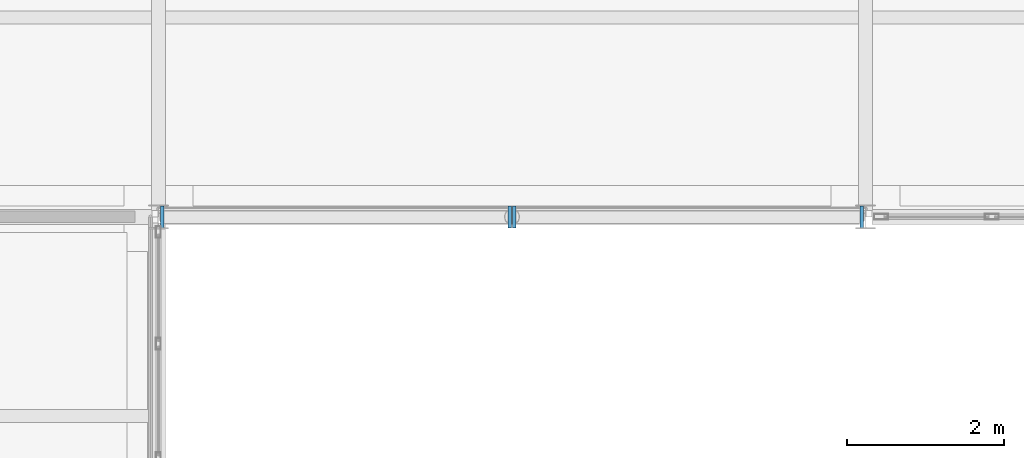
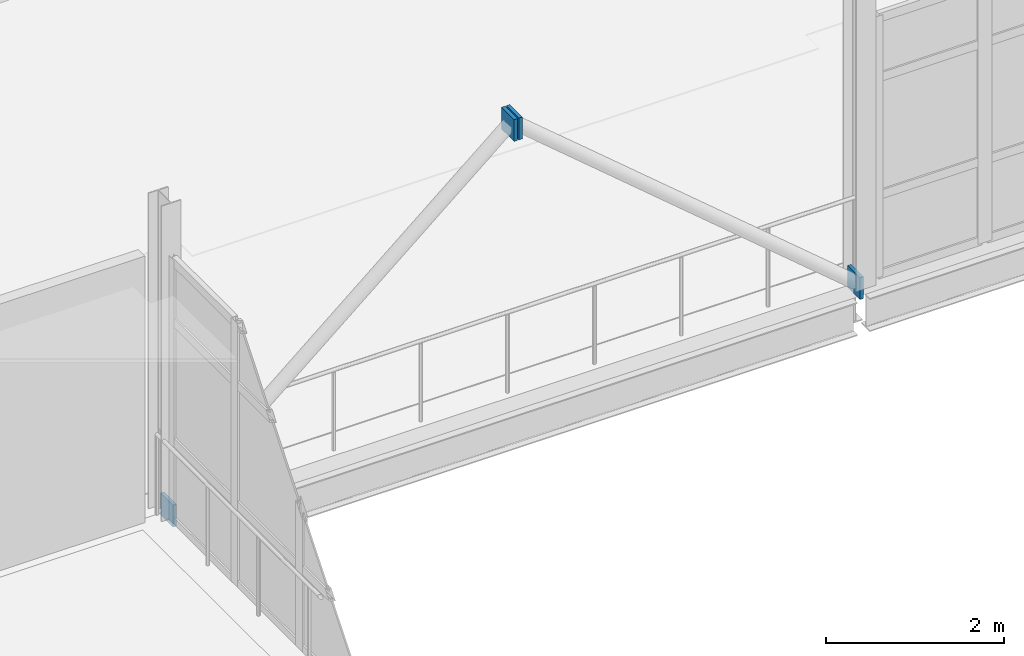
# One storey, part 148 of 174: 4 plates.
"""IFC4 building model written with IfcOpenShell, lengths in metres."""

from ifc_helpers import new_model, si_unit, direction, frame, origin, origin_2d, place, context, subcontext, project, spatial, rectangle, extrude, material, layer, layer_set, type_object, element, save


model = new_model("IFC4")

# Units and contexts
model_context = context("Model", 3, precision=1e-05, world=origin(), true_north=direction((0.0, 1.0)))
body_context = subcontext(model_context, "Body", "Model", "MODEL_VIEW")
ifc_project = project(units=[si_unit("LENGTHUNIT", "METRE"), si_unit("AREAUNIT", "SQUARE_METRE"), si_unit("VOLUMEUNIT", "CUBIC_METRE"), si_unit("PLANEANGLEUNIT", "RADIAN"), si_unit("MASSUNIT", "GRAM", prefix="KILO")], contexts=[model_context])

# Site, building, storey
site_placement = place(None, origin())
site = spatial("IfcSite", under=ifc_project, at=site_placement, CompositionType="ELEMENT")
building_placement = place(site_placement, origin())
building = spatial("IfcBuilding", under=site, at=building_placement, Name="Caisbarro Railhouse Central Library", CompositionType="ELEMENT")
storey_placement = place(building_placement, frame((0.0, 0.0, 5.0400390625)))
storey = spatial("IfcBuildingStorey", under=building, at=storey_placement, Name="L01", CompositionType="ELEMENT", Elevation=5.0400390625)

# Plates
ifc_material = material(Name="Steel ASTM A572 Grade 50", Category="steel")
ifc_layer = layer(ifc_material, 0.044921875, Name="Steel ASTM A572 Grade 50")
ifc_layer_set = layer_set([ifc_layer], Name="Steel ASTM A572 Grade 50")
plate_type = type_object("IfcPlateType", Name="PLT-EP01", PredefinedType="SHEET", material=ifc_layer_set)
for number, where, z_axis, x_axis, name in (
    (1, (63.05078125, 83.60009765625, -0.1376953125), (0.0, 0.0, 1.0), (1.0, 0.0, 0.0), "EP01 end cap plate"),
    (2, (67.46923828125, 83.60009765625, 3.59765625), (0.0, 0.0, 1.0), (1.0, 0.0, 0.0), "EP01 end cap plate"),
    (3, (71.94921875, 83.60009765625, -0.1376953125), (0.0, 0.0, 1.0), (-1.0, 0.0, 0.0), "EP01 end cap plate"),
    (4, (67.53076171875, 83.60009765625, 3.59765625), (0.0, 0.0, 1.0), (-1.0, 0.0, 0.0), "EP01 end cap plate"),
):
    element("IfcPlate", number, at=place(storey_placement, frame(where, z_axis=z_axis, x_axis=x_axis)), inside=storey, type_object=plate_type, Name=name, PredefinedType="SHEET", context=body_context, shape_type="SweptSolid", body=[
        extrude(rectangle(XDim=0.044921875, YDim=0.280029296875, at=origin_2d()), origin(), (0.0, 0.0, 1.0), 0.300048828125),
    ])

save(model, "model.ifc")
